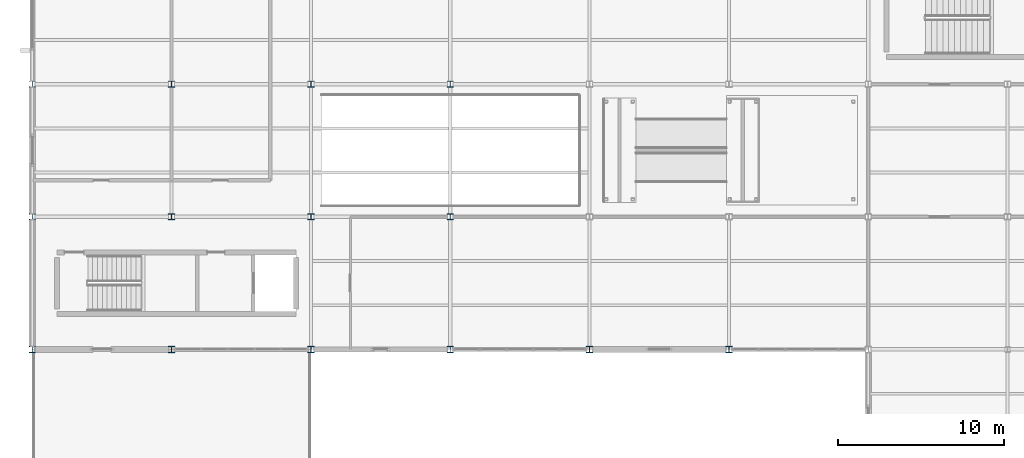
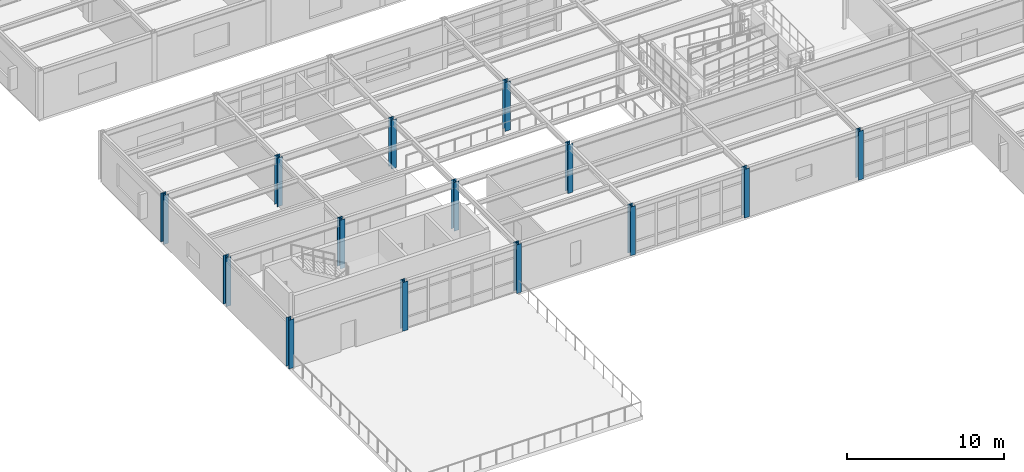
# One storey, part 1 of 138: 14 columns.
"""IFC4 building model written with IfcOpenShell, lengths in metres."""

from ifc_helpers import new_model, si_unit, direction, frame, origin, origin_2d, place, context, subcontext, project, spatial, i_section, extrude, material, material_profile, profile_set, type_object, element, save


model = new_model("IFC4")

# Units and contexts
model_context = context("Model", 3, precision=1e-05, world=origin(), true_north=direction((0.0, 1.0)))
body_context = subcontext(model_context, "Body", "Model", "MODEL_VIEW")
ifc_project = project(units=[si_unit("LENGTHUNIT", "METRE"), si_unit("AREAUNIT", "SQUARE_METRE"), si_unit("VOLUMEUNIT", "CUBIC_METRE"), si_unit("PLANEANGLEUNIT", "RADIAN"), si_unit("MASSUNIT", "GRAM", prefix="KILO")], contexts=[model_context])

# Site, building, storey
site_placement = place(None, origin())
site = spatial("IfcSite", under=ifc_project, at=site_placement, CompositionType="ELEMENT")
building_placement = place(site_placement, origin())
building = spatial("IfcBuilding", under=site, at=building_placement, Name="Kranzveld Transit Interchange", CompositionType="ELEMENT")
storey_placement = place(building_placement, frame((0.0, 0.0, 5.43994140625)))
storey = spatial("IfcBuildingStorey", under=building, at=storey_placement, Name="L01", CompositionType="ELEMENT", Elevation=5.43994140625)

# Columns
ifc_material = material(Name="Steel S355JR", Category="steel")
ifc_material_profile = material_profile(ifc_material, i_section(OverallWidth=0.374755859375, OverallDepth=0.37451171875, WebThickness=0.0166015625, FlangeThickness=0.027099609375, FilletRadius=0.01513671875, at=origin_2d()), Name="UC 356x368x202")
ifc_profile_set = profile_set([ifc_material_profile], Name="Steel S355JR")
column_type = type_object("IfcColumnType", Name="Column Steel UC 356x368x202 S355JR", PredefinedType="COLUMN", material=ifc_profile_set)
for number, where, z_axis, x_axis, name in (
    (1, (0.0, 16.0, 0.0), (0.0, 0.0, 1.0), (1.0, 0.0, 0.0), "L01 Column 01/C"),
    (2, (0.0, 24.0, 0.0), (0.0, 0.0, 1.0), (1.0, 0.0, 0.0), "L01 Column 01/D"),
    (3, (0.0, 32.0, 0.0), (0.0, 0.0, 1.0), (1.0, 0.0, 0.0), "L01 Column 01/E"),
    (4, (8.39990234375, 16.0, 0.0), (0.0, 0.0, 1.0), (1.0, 0.0, 0.0), "L01 Column 02/C"),
    (5, (8.39990234375, 24.0, 0.0), (0.0, 0.0, 1.0), (1.0, 0.0, 0.0), "L01 Column 02/D"),
    (6, (8.39990234375, 32.0, 0.0), (0.0, 0.0, 1.0), (1.0, 0.0, 0.0), "L01 Column 02/E"),
    (7, (16.800048828125, 16.0, 0.0), (0.0, 0.0, 1.0), (1.0, 0.0, 0.0), "L01 Column 03/C"),
    (8, (16.800048828125, 24.0, 0.0), (0.0, 0.0, 1.0), (1.0, 0.0, 0.0), "L01 Column 03/D"),
    (9, (16.800048828125, 32.0, 0.0), (0.0, 0.0, 1.0), (1.0, 0.0, 0.0), "L01 Column 03/E"),
    (10, (25.199951171875, 16.0, 0.0), (0.0, 0.0, 1.0), (1.0, 0.0, 0.0), "L01 Column 04/C"),
    (11, (25.199951171875, 24.0, 0.0), (0.0, 0.0, 1.0), (1.0, 0.0, 0.0), "L01 Column 04/D"),
    (12, (25.199951171875, 32.0, 0.0), (0.0, 0.0, 1.0), (1.0, 0.0, 0.0), "L01 Column 04/E"),
    (13, (33.60009765625, 16.0, 0.0), (0.0, 0.0, 1.0), (1.0, 0.0, 0.0), "L01 Column 05/C"),
    (14, (42.0, 16.0, 0.0), (0.0, 0.0, 1.0), (1.0, 0.0, 0.0), "L01 Column 06/C"),
):
    element("IfcColumn", number, at=place(storey_placement, frame(where, z_axis=z_axis, x_axis=x_axis)), inside=storey, type_object=column_type, Name=name, PredefinedType="COLUMN", context=body_context, shape_type="SweptSolid", body=[
        extrude(i_section(OverallWidth=0.374755859375, OverallDepth=0.37451171875, WebThickness=0.0166015625, FlangeThickness=0.027099609375, FilletRadius=0.01513671875, at=origin_2d()), origin(), (0.0, 0.0, 1.0), 3.800048828125),
    ])

save(model, "model.ifc")
